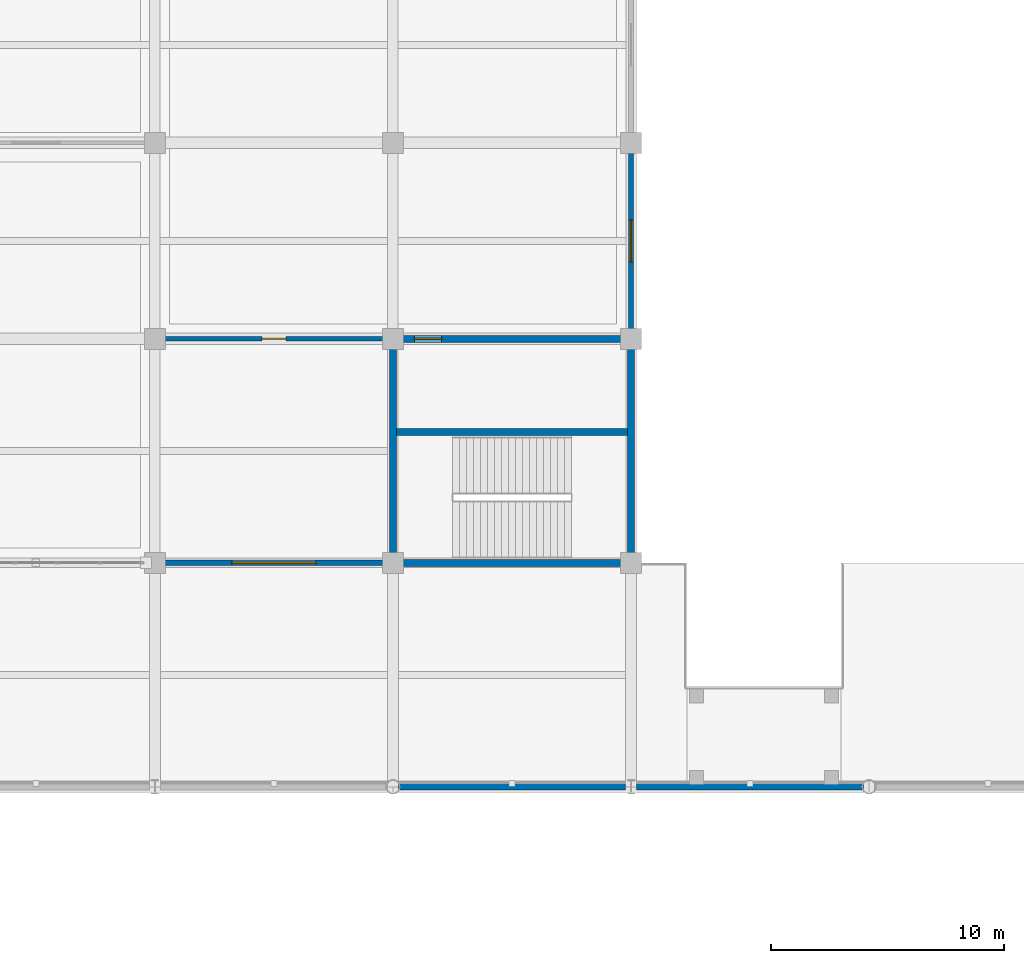
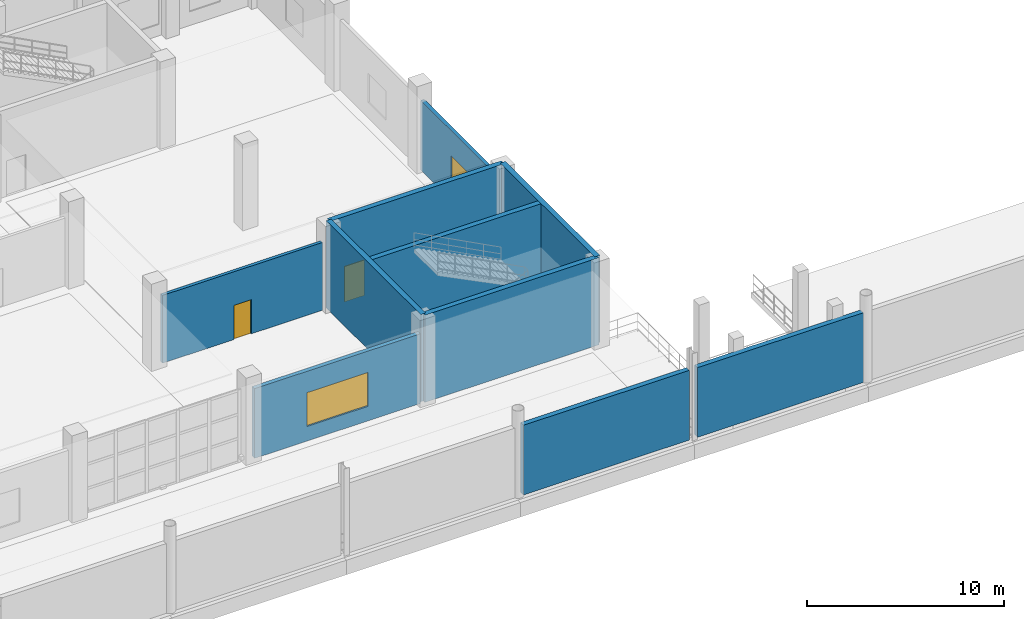
# One storey, part 132 of 175: 10 walls, 2 doors, 2 windows, 4 openings.
"""IFC4 building model written with IfcOpenShell, lengths in metres."""

from ifc_helpers import new_model, si_unit, direction, frame, frame_2d, origin, place, context, subcontext, project, spatial, rectangle, extrude, material, layer, layer_set, type_object, element, fill, save


model = new_model("IFC4")

# Units and contexts
model_context = context("Model", 3, precision=1e-05, world=origin(), true_north=direction((0.0, 1.0)))
body_context = subcontext(model_context, "Body", "Model", "MODEL_VIEW")
ifc_project = project(units=[si_unit("LENGTHUNIT", "METRE"), si_unit("AREAUNIT", "SQUARE_METRE"), si_unit("VOLUMEUNIT", "CUBIC_METRE"), si_unit("PLANEANGLEUNIT", "RADIAN"), si_unit("MASSUNIT", "GRAM", prefix="KILO")], contexts=[model_context])

# Site, building, storey
site_placement = place(None, origin())
site = spatial("IfcSite", under=ifc_project, at=site_placement, CompositionType="ELEMENT")
building_placement = place(site_placement, origin())
building = spatial("IfcBuilding", under=site, at=building_placement, Name="Brelvane Convention Centre", CompositionType="ELEMENT")
storey_placement = place(building_placement, frame((0.0, 0.0, 5.39990234375)))
storey = spatial("IfcBuildingStorey", under=building, at=storey_placement, Name="L01", CompositionType="ELEMENT", Elevation=5.39990234375)

# Wall, opening, window
ifc_material_1 = material(Name="Insulated Autoclaved Aerated Concrete Block Grade 1", Category="concrete")
ifc_layer_1 = layer(ifc_material_1, 0.239990234375)
ifc_layer_set_1 = layer_set([ifc_layer_1], Name="Insulated Autoclaved Aerated Concrete Block Grade 1")
wall_type_1 = type_object("IfcWallType", Name="Exterior Wall EW-03", PredefinedType="STANDARD", material=ifc_layer_set_1)
wall_1_placement = place(storey_placement, frame((92.0400390625, 109.199951171875, 0.0), z_axis=(0.0, 0.0, 1.0), x_axis=(1.0, 0.0, 0.0)))
wall_1 = element("IfcWall", 1, at=wall_1_placement, inside=storey, type_object=wall_type_1, Name="Exterior Wall L01 V4S-10", PredefinedType="STANDARD", context=body_context, shape_type="SweptSolid", body=[
    extrude(rectangle(XDim=9.719970703125, YDim=0.239990234375, at=frame_2d((4.85986328125, 0.0))), origin(), (0.0, 0.0, 1.0), 4.320068359375),
])
opening_1_placement = place(wall_1_placement, frame((3.06005859375, 0.0, 0.89990234375)))
opening_1 = element("IfcOpeningElement", 2, at=opening_1_placement, cuts=wall_1, Name="Opening WN-03", PredefinedType="OPENING", context=body_context, shape_type="SweptSolid", body=[
    extrude(rectangle(XDim=3.60009765625, YDim=2.10009765625, at=frame_2d((1.800048828125, 1.050048828125))), frame((0.0, 0.1298828125, 0.0), z_axis=(0.0, -1.0, 0.0), x_axis=(1.0, 0.0, 0.0)), (0.0, 0.0, 1.0), 0.260009765625),
])
ifc_material_2 = material(Name="Double Glazed Low-E Laminated Unit")
window_type_1 = type_object("IfcWindowType", Name="Window WN-03", PartitioningType="TRIPLE_PANEL_VERTICAL", PredefinedType="WINDOW", material=ifc_material_2)
window_1_placement = place(opening_1_placement, origin())
window_1 = element("IfcWindow", 3, at=window_1_placement, inside=storey, type_object=window_type_1, Name="Facade Window L01-V4S-10-025", OverallHeight=2.10009765625, OverallWidth=3.60009765625, PartitioningType="TRIPLE_PANEL_VERTICAL", PredefinedType="WINDOW", context=body_context, shape_type="SweptSolid", body=[
    extrude(rectangle(XDim=3.60009765625, YDim=2.10009765625, at=frame_2d((1.800048828125, 1.050048828125))), frame((0.0, 0.030029296875, 0.0), z_axis=(0.0, -1.0, 0.0), x_axis=(1.0, 0.0, 0.0)), (0.0, 0.0, 1.0), 0.06005859375),
])
fill(opening_1, window_1)

ifc_material_3 = material(Name="Insulated Autoclaved Aerated Concrete Block Grade 1", Category="concrete")
ifc_layer_2 = layer(ifc_material_3, 0.205078125)
ifc_layer_set_2 = layer_set([ifc_layer_2], Name="Insulated Autoclaved Aerated Concrete Block Grade 1")
wall_type_2 = type_object("IfcWallType", Name="Exterior Wall EW-05", PredefinedType="STANDARD", material=ifc_layer_set_2)
wall_2_placement = place(storey_placement, frame((112.199951171875, 119.0400390625, 0.0), z_axis=(0.0, 0.0, 1.0), x_axis=(0.0, 1.0, 0.0)))
wall_2 = element("IfcWall", 4, at=wall_2_placement, inside=storey, type_object=wall_type_2, Name="Exterior Wall L01 V4E-2", PredefinedType="STANDARD", context=body_context, shape_type="SweptSolid", body=[
    extrude(rectangle(XDim=7.919921875, YDim=0.205078125, at=frame_2d((3.9599609375, 0.0))), origin(), (0.0, 0.0, 1.0), 4.320068359375),
])
opening_2_placement = place(wall_2_placement, frame((3.06005859375, 0.0, 0.949951171875)))
opening_2 = element("IfcOpeningElement", 5, at=opening_2_placement, cuts=wall_2, Name="Opening WN-04", PredefinedType="OPENING", context=body_context, shape_type="SweptSolid", body=[
    extrude(rectangle(XDim=1.800048828125, YDim=1.800048828125, at=frame_2d((0.89990234375, 0.89990234375))), frame((0.0, 0.112548828125, 0.0), z_axis=(0.0, -1.0, 0.0), x_axis=(1.0, 0.0, 0.0)), (0.0, 0.0, 1.0), 0.22509765625),
])
ifc_material_4 = material(Name="Double Glazed Low-E Laminated Unit")
window_type_2 = type_object("IfcWindowType", Name="Window WN-04", PartitioningType="DOUBLE_PANEL_VERTICAL", PredefinedType="WINDOW", material=ifc_material_4)
window_2_placement = place(opening_2_placement, origin())
window_2 = element("IfcWindow", 6, at=window_2_placement, inside=storey, type_object=window_type_2, Name="Facade Window L01-V4E-2-028", OverallHeight=1.800048828125, OverallWidth=1.800048828125, PartitioningType="DOUBLE_PANEL_VERTICAL", PredefinedType="WINDOW", context=body_context, shape_type="SweptSolid", body=[
    extrude(rectangle(XDim=1.800048828125, YDim=1.800048828125, at=frame_2d((0.89990234375, 0.89990234375))), frame((0.0, 0.030029296875, 0.0), z_axis=(0.0, -1.0, 0.0), x_axis=(1.0, 0.0, 0.0)), (0.0, 0.0, 1.0), 0.06005859375),
])
fill(opening_2, window_2)

# Walls
ifc_material_5 = material(Name="Concrete M40", Category="concrete")
ifc_layer_3 = layer(ifc_material_5, 0.2900390625)
ifc_layer_set_3 = layer_set([ifc_layer_3], Name="Concrete M40")
wall_type_3 = type_object("IfcWallType", Name="Exterior Wall EW-08", PredefinedType="SOLIDWALL", material=ifc_layer_set_3)
for number, where, z_axis, x_axis, name in (
    (7, (102.239990234375, 99.60009765625, 0.0), (0.0, 0.0, 1.0), (1.0, 0.0, 0.0), "Exterior Wall L01 V1N-L01-11"),
    (8, (112.43994140625, 99.60009765625, 0.0), (0.0, 0.0, 1.0), (1.0, 0.0, 0.0), "Exterior Wall L01 V1N-L01-12"),
):
    element("IfcWall", number, at=place(storey_placement, frame(where, z_axis=z_axis, x_axis=x_axis)), inside=storey, type_object=wall_type_3, Name=name, PredefinedType="SOLIDWALL", context=body_context, shape_type="SweptSolid", body=[
        extrude(rectangle(XDim=9.719970703125, YDim=0.2900390625, at=frame_2d((4.85986328125, 0.0))), origin(), (0.0, 0.0, 1.0), 4.320068359375),
    ])

# Wall, opening, door
ifc_material_6 = material(Name="Fire-Rated Acoustic Gypsum Partition Board Grade A")
ifc_layer_4 = layer(ifc_material_6, 0.18505859375)
ifc_layer_set_4 = layer_set([ifc_layer_4], Name="Fire-Rated Acoustic Gypsum Partition Board Grade A")
wall_type_4 = type_object("IfcWallType", Name="Interior Wall IW-AC-185", PredefinedType="PARTITIONING", material=ifc_layer_set_4)
wall_3_placement = place(storey_placement, frame((92.199951171875, 118.800048828125, 0.0), z_axis=(0.0, 0.0, 1.0), x_axis=(1.0, 0.0, 0.0)))
wall_3 = element("IfcWall", 9, at=wall_3_placement, inside=storey, type_object=wall_type_4, Name="Interior Partition L01-MT206", PredefinedType="PARTITIONING", context=body_context, shape_type="SweptSolid", body=[
    extrude(rectangle(XDim=9.400146484375, YDim=0.18505859375, at=frame_2d((4.7001953125, 0.0))), origin(), (0.0, 0.0, 1.0), 4.2001953125),
])
opening_3_placement = place(wall_3_placement, frame((4.18994140625, 0.0, 0.0)))
opening_3 = element("IfcOpeningElement", 10, at=opening_3_placement, cuts=wall_3, Name="Opening DR-IN-12R", PredefinedType="OPENING", context=body_context, shape_type="SweptSolid", body=[
    extrude(rectangle(XDim=1.02001953125, YDim=2.1201171875, at=frame_2d((0.510009765625, 1.06005859375))), frame((0.0, 0.1025390625, 0.0), z_axis=(0.0, -1.0, 0.0), x_axis=(1.0, 0.0, 0.0)), (0.0, 0.0, 1.0), 0.205078125),
])
ifc_material_7 = material(Name="Solid-Core Fire-Rated Hardwood Leaf Grade 1", Category="wood")
door_type_1 = type_object("IfcDoorType", Name="Interior Door DR-IN-12R", OperationType="NOTDEFINED", PredefinedType="DOOR", material=ifc_material_7)
door_1_placement = place(opening_3_placement, origin())
door_1 = element("IfcDoor", 11, at=door_1_placement, inside=storey, type_object=door_type_1, Name="Interior Door L01-MT206 (DR-IN-12R)", OperationType="SINGLE_SWING_RIGHT", OverallHeight=2.1201171875, OverallWidth=1.02001953125, PredefinedType="DOOR", context=body_context, shape_type="SweptSolid", body=[
    extrude(rectangle(XDim=1.02001953125, YDim=2.1201171875, at=frame_2d((0.510009765625, 1.06005859375))), frame((0.0, 0.02490234375, 0.0), z_axis=(0.0, -1.0, 0.0), x_axis=(1.0, 0.0, 0.0)), (0.0, 0.0, 1.0), 0.050048828125),
])
fill(opening_3, door_1)

# Wall
ifc_material_8 = material(Name="Concrete M50", Category="concrete")
ifc_layer_5 = layer(ifc_material_8, 0.300048828125)
ifc_layer_set_5 = layer_set([ifc_layer_5], Name="Concrete M50")
wall_type_5 = type_object("IfcWallType", Name="Structural Wall WL-CORE-300", PredefinedType="SHEAR", material=ifc_layer_set_5)
wall_4_placement = place(storey_placement, frame((102.0, 109.199951171875, 0.0), z_axis=(0.0, 0.0, 1.0), x_axis=(1.0, 0.0, 0.0)))
element("IfcWall", 12, at=wall_4_placement, inside=storey, type_object=wall_type_5, Name="Stair Core ST-20 Wall S (L01)", PredefinedType="SHEAR", context=body_context, shape_type="SweptSolid", body=[
    extrude(rectangle(XDim=10.199951171875, YDim=0.300048828125, at=frame_2d((5.10009765625, 0.0))), origin(), (0.0, 0.0, 1.0), 5.400146484375),
])

# Wall, opening, door
wall_5_placement = place(storey_placement, frame((102.0, 118.800048828125, 0.0), z_axis=(0.0, 0.0, 1.0), x_axis=(1.0, 0.0, 0.0)))
wall_5 = element("IfcWall", 13, at=wall_5_placement, inside=storey, type_object=wall_type_5, Name="Stair Core ST-20 Wall N (L01)", PredefinedType="SHEAR", context=body_context, shape_type="SweptSolid", body=[
    extrude(rectangle(XDim=10.199951171875, YDim=0.300048828125, at=frame_2d((5.10009765625, 0.0))), origin(), (0.0, 0.0, 1.0), 5.400146484375),
])
opening_4_placement = place(wall_5_placement, frame((0.919921875, 0.0, 0.0)))
opening_4 = element("IfcOpeningElement", 14, at=opening_4_placement, cuts=wall_5, Name="Opening DR-IN-04L", PredefinedType="OPENING", context=body_context, shape_type="SweptSolid", body=[
    extrude(rectangle(XDim=1.159912109375, YDim=2.199951171875, at=frame_2d((0.580078125, 1.10009765625))), frame((0.0, 0.159912109375, 0.0), z_axis=(0.0, -1.0, 0.0), x_axis=(1.0, 0.0, 0.0)), (0.0, 0.0, 1.0), 0.320068359375),
])
ifc_material_9 = material(Name="Galvanised Hollow-Metal Fire Door Steel E250", Category="steel")
door_type_2 = type_object("IfcDoorType", Name="Interior Door DR-IN-04L", OperationType="NOTDEFINED", PredefinedType="DOOR", material=ifc_material_9)
door_2_placement = place(opening_4_placement, origin())
door_2 = element("IfcDoor", 15, at=door_2_placement, inside=storey, type_object=door_type_2, Name="Stair ST-20 Entry Door (L01)", OperationType="SINGLE_SWING_LEFT", OverallHeight=2.199951171875, OverallWidth=1.159912109375, PredefinedType="DOOR", context=body_context, shape_type="SweptSolid", body=[
    extrude(rectangle(XDim=1.159912109375, YDim=2.199951171875, at=frame_2d((0.580078125, 1.10009765625))), frame((0.0, 0.02490234375, 0.0), z_axis=(0.0, -1.0, 0.0), x_axis=(1.0, 0.0, 0.0)), (0.0, 0.0, 1.0), 0.050048828125),
])
fill(opening_4, door_2)

# Walls
for number, where, z_axis, x_axis, name in (
    (16, (102.0, 109.199951171875, 0.0), (0.0, 0.0, 1.0), (0.0, 1.0, 0.0), "Stair Core ST-20 Wall W (L01)"),
    (17, (112.199951171875, 109.199951171875, 0.0), (0.0, 0.0, 1.0), (0.0, 1.0, 0.0), "Stair Core ST-20 Wall E (L01)"),
):
    element("IfcWall", number, at=place(storey_placement, frame(where, z_axis=z_axis, x_axis=x_axis)), inside=storey, type_object=wall_type_5, Name=name, PredefinedType="SHEAR", context=body_context, shape_type="SweptSolid", body=[
        extrude(rectangle(XDim=9.60009765625, YDim=0.300048828125, at=frame_2d((4.800048828125, 0.0))), origin(), (0.0, 0.0, 1.0), 5.400146484375),
    ])
wall_6_placement = place(storey_placement, frame((102.14990234375, 114.800048828125, 0.0), z_axis=(0.0, 0.0, 1.0), x_axis=(1.0, 0.0, 0.0)))
element("IfcWall", 18, at=wall_6_placement, inside=storey, type_object=wall_type_5, Name="Stair Core ST-20 Well Wall (L01)", PredefinedType="SHEAR", context=body_context, shape_type="SweptSolid", body=[
    extrude(rectangle(XDim=9.900146484375, YDim=0.300048828125, at=frame_2d((4.9501953125, 0.0))), origin(), (0.0, 0.0, 1.0), 5.400146484375),
])

save(model, "model.ifc")
